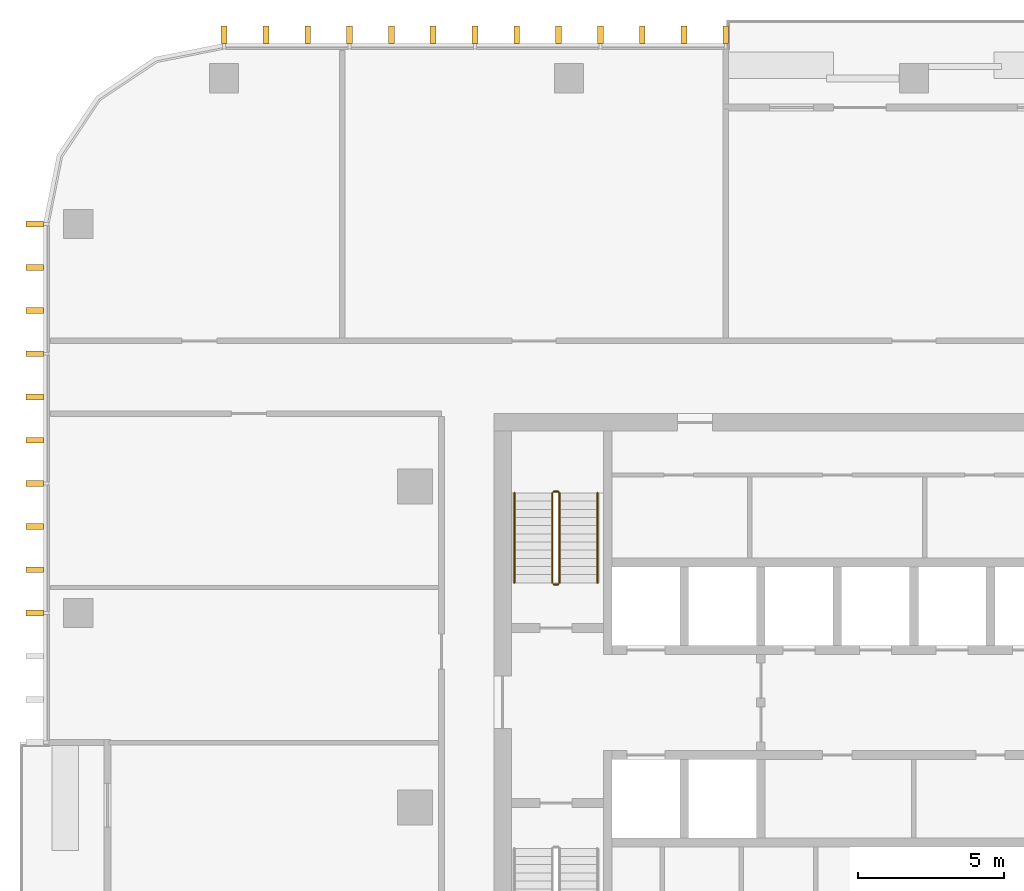
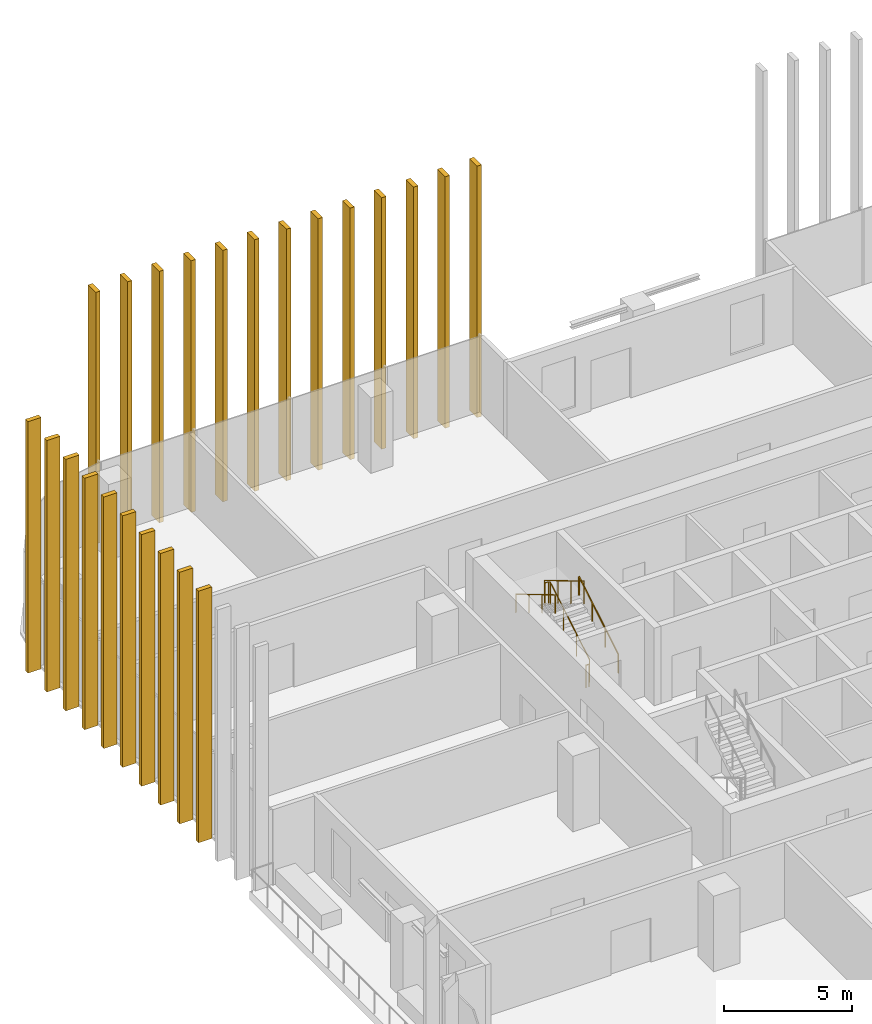
# One storey, part 14 of 16: 23 shading devices, 5 railings.
"""IFC4 building model written with IfcOpenShell, lengths in metres."""

from ifc_helpers import new_model, si_unit, direction, frame, origin, origin_2d, place, context, subcontext, project, spatial, rectangle, circle, extrude, material, type_object, element, save


model = new_model("IFC4")

# Units and contexts
model_context = context("Model", 3, precision=1e-05, world=origin(), true_north=direction((0.0, 1.0)))
body_context = subcontext(model_context, "Body", "Model", "MODEL_VIEW")
ifc_project = project(units=[si_unit("LENGTHUNIT", "METRE"), si_unit("AREAUNIT", "SQUARE_METRE"), si_unit("VOLUMEUNIT", "CUBIC_METRE"), si_unit("PLANEANGLEUNIT", "RADIAN"), si_unit("MASSUNIT", "GRAM", prefix="KILO")], contexts=[model_context])

# Site, building, storey
site_placement = place(None, origin())
site = spatial("IfcSite", under=ifc_project, at=site_placement, CompositionType="ELEMENT")
building_placement = place(site_placement, origin())
building = spatial("IfcBuilding", under=site, at=building_placement, Name="Mopane Tessera Tower", CompositionType="ELEMENT")
storey_placement = place(building_placement, frame((0.0, 0.0, 267.39990234375)))
storey = spatial("IfcBuildingStorey", under=building, at=storey_placement, Name="L57", CompositionType="ELEMENT", Elevation=267.39990234375)

# Shading devices
ifc_material_1 = material(Name="Glazed ceramic tile")
shading_device_type = type_object("IfcShadingDeviceType", Name="Ceramic tile fin 600 x 200 mm", PredefinedType="USERDEFINED", material=ifc_material_1)
for number, where, z_axis, x_axis, name in (
    (1, (-6.449951171875, 26.5, -0.39990234375), (0.0, 0.0, 1.0), (-1.0, 0.0, 0.0), "e:fin:L57:N:7:0"),
    (2, (-7.88330078125, 26.5, -0.39990234375), (0.0, 0.0, 1.0), (-1.0, 0.0, 0.0), "e:fin:L57:N:7:1"),
    (3, (-9.316650390625, 26.5, -0.39990234375), (0.0, 0.0, 1.0), (-1.0, 0.0, 0.0), "e:fin:L57:N:7:2"),
    (4, (-10.75, 26.5, -0.39990234375), (0.0, 0.0, 1.0), (-1.0, 0.0, 0.0), "e:fin:L57:N:8:0"),
    (5, (-12.183349609375, 26.5, -0.39990234375), (0.0, 0.0, 1.0), (-1.0, 0.0, 0.0), "e:fin:L57:N:8:1"),
    (6, (-13.61669921875, 26.5, -0.39990234375), (0.0, 0.0, 1.0), (-1.0, 0.0, 0.0), "e:fin:L57:N:8:2"),
    (7, (-15.050048828125, 26.5, -0.39990234375), (0.0, 0.0, 1.0), (-1.0, 0.0, 0.0), "e:fin:L57:N:9:0"),
    (8, (-16.4833984375, 26.5, -0.39990234375), (0.0, 0.0, 1.0), (-1.0, 0.0, 0.0), "e:fin:L57:N:9:1"),
    (9, (-17.916748046875, 26.5, -0.39990234375), (0.0, 0.0, 1.0), (-1.0, 0.0, 0.0), "e:fin:L57:N:9:2"),
    (10, (-19.35009765625, 26.5, -0.39990234375), (0.0, 0.0, 1.0), (-1.0, 0.0, 0.0), "e:fin:L57:N:10:0"),
    (11, (-20.783447265625, 26.5, -0.39990234375), (0.0, 0.0, 1.0), (-1.0, 0.0, 0.0), "e:fin:L57:N:10:1"),
    (12, (-22.216552734375, 26.5, -0.39990234375), (0.0, 0.0, 1.0), (-1.0, 0.0, 0.0), "e:fin:L57:N:10:2"),
    (13, (-23.64990234375, 26.5, -0.39990234375), (0.0, 0.0, 1.0), (-1.0, 0.0, 0.0), "e:fin:L57:N:10:3"),
    (14, (-30.14990234375, 20.0, -0.39990234375), (0.0, 0.0, 1.0), (0.0, -1.0, 0.0), "e:fin:L57:W:0:0"),
    (15, (-30.14990234375, 18.5185546875, -0.39990234375), (0.0, 0.0, 1.0), (0.0, -1.0, 0.0), "e:fin:L57:W:0:1"),
    (16, (-30.14990234375, 17.037109375, -0.39990234375), (0.0, 0.0, 1.0), (0.0, -1.0, 0.0), "e:fin:L57:W:0:2"),
    (17, (-30.14990234375, 15.5556640625, -0.39990234375), (0.0, 0.0, 1.0), (0.0, -1.0, 0.0), "e:fin:L57:W:1:0"),
    (18, (-30.14990234375, 14.073974609375, -0.39990234375), (0.0, 0.0, 1.0), (0.0, -1.0, 0.0), "e:fin:L57:W:1:1"),
    (19, (-30.14990234375, 12.592529296875, -0.39990234375), (0.0, 0.0, 1.0), (0.0, -1.0, 0.0), "e:fin:L57:W:1:2"),
    (20, (-30.14990234375, 11.111083984375, -0.39990234375), (0.0, 0.0, 1.0), (0.0, -1.0, 0.0), "e:fin:L57:W:2:0"),
    (21, (-30.14990234375, 9.629638671875, -0.39990234375), (0.0, 0.0, 1.0), (0.0, -1.0, 0.0), "e:fin:L57:W:2:1"),
    (22, (-30.14990234375, 8.148193359375, -0.39990234375), (0.0, 0.0, 1.0), (0.0, -1.0, 0.0), "e:fin:L57:W:2:2"),
    (23, (-30.14990234375, 6.666748046875, -0.39990234375), (0.0, 0.0, 1.0), (0.0, -1.0, 0.0), "e:fin:L57:W:3:0"),
):
    element("IfcShadingDevice", number, at=place(storey_placement, frame(where, z_axis=z_axis, x_axis=x_axis)), inside=storey, type_object=shading_device_type, Name=name, ObjectType="FIN", PredefinedType="USERDEFINED", context=body_context, shape_type="SweptSolid", body=[
        extrude(rectangle(XDim=0.199951171875, YDim=0.60009765625, at=origin_2d()), origin(), (0.0, 0.0, 1.0), 12.0),
    ])

# Railings
ifc_material_2 = material(Name="Powder-coated steel balustrade", Category="steel")
railing_type_1 = type_object("IfcRailingType", Name="Escape stair guard 1100 mm", PredefinedType="GUARDRAIL", material=ifc_material_2)
railing_1_placement = place(storey_placement, frame((-12.14990234375, 7.699951171875, 0.166748046875)))
element("IfcRailing", 24, at=railing_1_placement, inside=storey, type_object=railing_type_1, Name="L57 ST2 stair guard 1", PredefinedType="GUARDRAIL", context=body_context, shape_type="SweptSolid", body=[
    extrude(circle(Radius=0.02392578125, at=origin_2d()), frame((0.0, 0.0, 1.076171875), z_axis=(0.0, 0.859308565015, 0.511457515432), x_axis=(-1.0, 0.0, 0.0)), (0.0, 0.0, 1.0), 3.58447265625),
    extrude(circle(Radius=0.02392578125, at=origin_2d()), frame((0.0, 3.080078125, 2.9091796875), z_axis=(-0.707106781187, 0.707106781187, 0.0), x_axis=(-0.707106781187, -0.707106781187, 0.0)), (0.0, 0.0, 1.0), 0.07080078125),
    extrude(circle(Radius=0.02392578125, at=origin_2d()), frame((-0.050048828125, 3.130126953125, 2.9091796875), z_axis=(-1.0, 0.0, 0.0), x_axis=(0.0, -1.0, 0.0)), (0.0, 0.0, 1.0), 0.150146484375),
    extrude(circle(Radius=0.02099609375, at=origin_2d()), origin(), (0.0, 0.0, 1.0), 1.052001953125),
    extrude(circle(Radius=0.02099609375, at=origin_2d()), frame((0.0, 1.026611328125, 0.611083984375)), (0.0, 0.0, 1.0), 1.052001953125),
    extrude(circle(Radius=0.02099609375, at=origin_2d()), frame((0.0, 2.053466796875, 1.22216796875)), (0.0, 0.0, 1.0), 1.052001953125),
    extrude(circle(Radius=0.02099609375, at=origin_2d()), frame((0.0, 3.080078125, 1.833251953125)), (0.0, 0.0, 1.0), 1.052001953125),
    extrude(circle(Radius=0.02099609375, at=origin_2d()), frame((-0.050048828125, 3.130126953125, 1.833251953125)), (0.0, 0.0, 1.0), 1.052001953125),
    extrude(circle(Radius=0.02099609375, at=origin_2d()), frame((-0.2001953125, 3.130126953125, 1.833251953125)), (0.0, 0.0, 1.0), 1.052001953125),
])
railing_2_placement = place(storey_placement, frame((-12.39990234375, 10.780029296875, 2.166748046875)))
element("IfcRailing", 25, at=railing_2_placement, inside=storey, type_object=railing_type_1, Name="L57 ST2 stair guard 2", PredefinedType="GUARDRAIL", context=body_context, shape_type="SweptSolid", body=[
    extrude(circle(Radius=0.02392578125, at=origin_2d()), frame((0.0, 0.0, 1.076171875), z_axis=(0.0, -0.859308565015, 0.511457515432), x_axis=(1.0, 0.0, 0.0)), (0.0, 0.0, 1.0), 3.58447265625),
    extrude(circle(Radius=0.02099609375, at=origin_2d()), origin(), (0.0, 0.0, 1.0), 1.052001953125),
    extrude(circle(Radius=0.02099609375, at=origin_2d()), frame((0.0, -1.026611328125, 0.611083984375)), (0.0, 0.0, 1.0), 1.052001953125),
    extrude(circle(Radius=0.02099609375, at=origin_2d()), frame((0.0, -2.053466796875, 1.22216796875)), (0.0, 0.0, 1.0), 1.052001953125),
    extrude(circle(Radius=0.02099609375, at=origin_2d()), frame((0.0, -3.080078125, 1.833251953125)), (0.0, 0.0, 1.0), 1.052001953125),
])
railing_3_placement = place(storey_placement, frame((-12.199951171875, 7.64990234375, 0.0)))
element("IfcRailing", 26, at=railing_3_placement, inside=storey, type_object=railing_type_1, Name="L57 ST2 stair guard 3", PredefinedType="GUARDRAIL", context=body_context, shape_type="SweptSolid", body=[
    extrude(circle(Radius=0.02392578125, at=origin_2d()), frame((0.0, 0.0, 1.076171875), z_axis=(-1.0, 0.0, 0.0), x_axis=(0.0, -1.0, 0.0)), (0.0, 0.0, 1.0), 0.150146484375),
    extrude(circle(Radius=0.02099609375, at=origin_2d()), origin(), (0.0, 0.0, 1.0), 1.052001953125),
    extrude(circle(Radius=0.02099609375, at=origin_2d()), frame((-0.150146484375, 0.0, 0.0)), (0.0, 0.0, 1.0), 1.052001953125),
])
ifc_material_3 = material(Name="Powder-coated steel balustrade", Category="steel")
railing_type_2 = type_object("IfcRailingType", Name="Escape stair handrail 900 mm", PredefinedType="HANDRAIL", material=ifc_material_3)
railing_4_placement = place(storey_placement, frame((-10.85009765625, 7.699951171875, 0.166748046875)))
element("IfcRailing", 27, at=railing_4_placement, inside=storey, type_object=railing_type_2, Name="L57 ST2 stair handrail 1", PredefinedType="HANDRAIL", context=body_context, shape_type="SweptSolid", body=[
    extrude(circle(Radius=0.02392578125, at=origin_2d()), frame((0.0, 0.0, 0.8759765625), z_axis=(0.0, 0.859308565015, 0.511457515432), x_axis=(-1.0, 0.0, 0.0)), (0.0, 0.0, 1.0), 3.58447265625),
    extrude(circle(Radius=0.02099609375, at=origin_2d()), origin(), (0.0, 0.0, 1.0), 0.851806640625),
    extrude(circle(Radius=0.02099609375, at=origin_2d()), frame((0.0, 1.026611328125, 0.611083984375)), (0.0, 0.0, 1.0), 0.851806640625),
    extrude(circle(Radius=0.02099609375, at=origin_2d()), frame((0.0, 2.053466796875, 1.22216796875)), (0.0, 0.0, 1.0), 0.851806640625),
    extrude(circle(Radius=0.02099609375, at=origin_2d()), frame((0.0, 3.080078125, 1.833251953125)), (0.0, 0.0, 1.0), 0.851806640625),
])
railing_5_placement = place(storey_placement, frame((-13.699951171875, 10.780029296875, 2.166748046875)))
element("IfcRailing", 28, at=railing_5_placement, inside=storey, type_object=railing_type_2, Name="L57 ST2 stair handrail 2", PredefinedType="HANDRAIL", context=body_context, shape_type="SweptSolid", body=[
    extrude(circle(Radius=0.02392578125, at=origin_2d()), frame((0.0, 0.0, 0.8759765625), z_axis=(0.0, -0.859308565015, 0.511457515432), x_axis=(1.0, 0.0, 0.0)), (0.0, 0.0, 1.0), 3.58447265625),
    extrude(circle(Radius=0.02099609375, at=origin_2d()), origin(), (0.0, 0.0, 1.0), 0.851806640625),
    extrude(circle(Radius=0.02099609375, at=origin_2d()), frame((0.0, -1.026611328125, 0.611083984375)), (0.0, 0.0, 1.0), 0.851806640625),
    extrude(circle(Radius=0.02099609375, at=origin_2d()), frame((0.0, -2.053466796875, 1.22216796875)), (0.0, 0.0, 1.0), 0.851806640625),
    extrude(circle(Radius=0.02099609375, at=origin_2d()), frame((0.0, -3.080078125, 1.833251953125)), (0.0, 0.0, 1.0), 0.851806640625),
])

save(model, "model.ifc")
